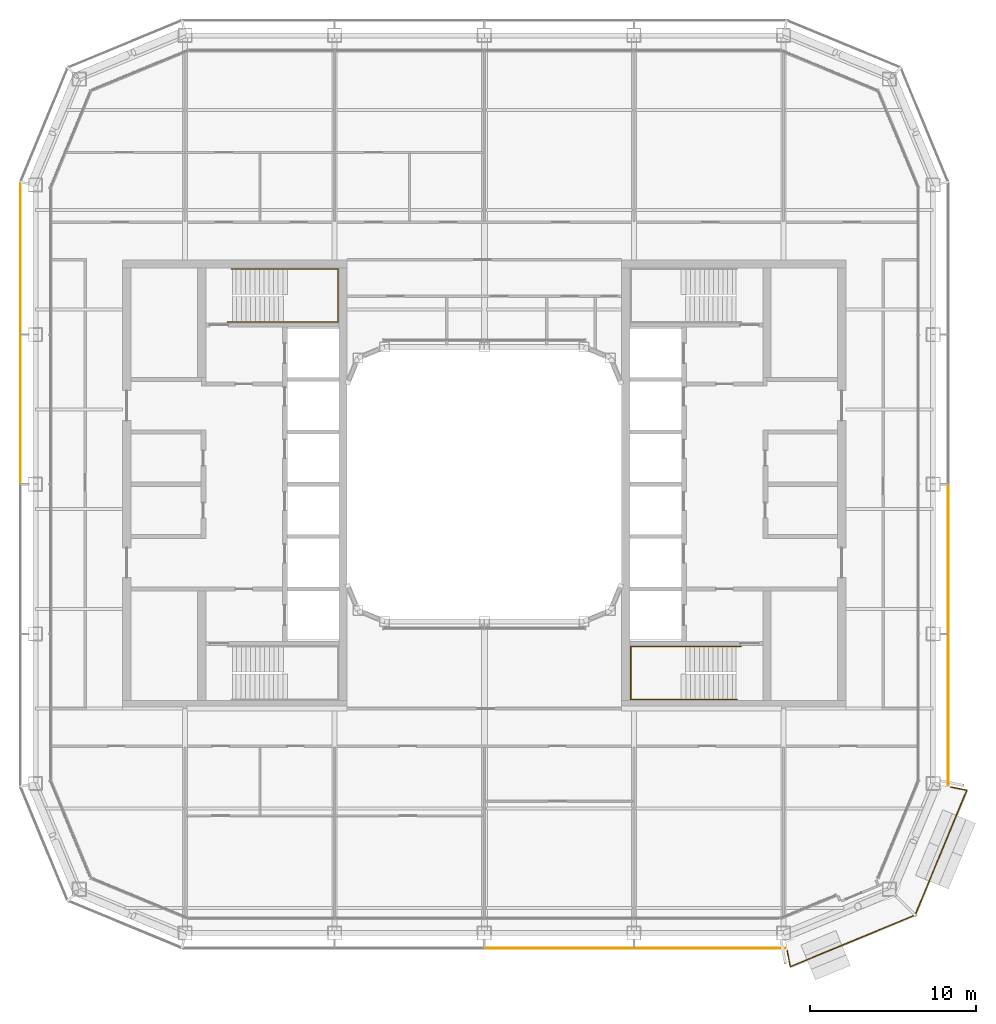
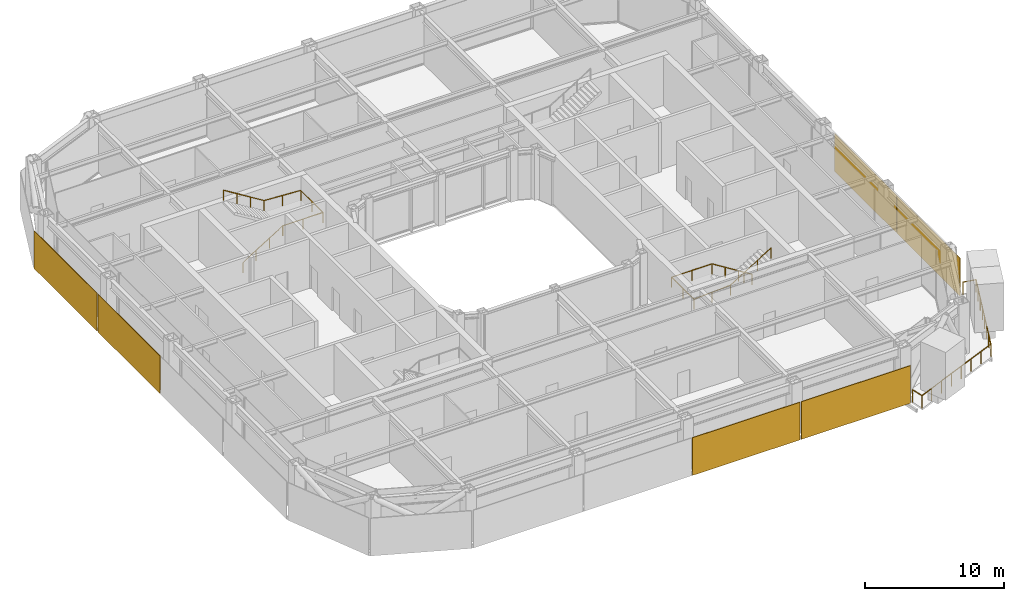
# One storey, part 19 of 22: 6 coverings, 3 railings.
"""IFC4 building model written with IfcOpenShell, lengths in metres."""

from ifc_helpers import new_model, si_unit, direction, frame, origin, origin_2d, place, context, subcontext, project, spatial, rectangle, circle, extrude, material, layer, layer_set, type_object, element, save


model = new_model("IFC4")

# Units and contexts
model_context = context("Model", 3, precision=1e-05, world=origin(), true_north=direction((0.0, 1.0)))
body_context = subcontext(model_context, "Body", "Model", "MODEL_VIEW")
ifc_project = project(units=[si_unit("LENGTHUNIT", "METRE"), si_unit("AREAUNIT", "SQUARE_METRE"), si_unit("VOLUMEUNIT", "CUBIC_METRE"), si_unit("PLANEANGLEUNIT", "RADIAN"), si_unit("MASSUNIT", "GRAM", prefix="KILO")], contexts=[model_context])

# Site, building, storey
site_placement = place(None, origin())
site = spatial("IfcSite", under=ifc_project, at=site_placement, CompositionType="ELEMENT")
building_placement = place(site_placement, origin())
building = spatial("IfcBuilding", under=site, at=building_placement, Name="Siwar Civic Tower", CompositionType="ELEMENT")
storey_placement = place(building_placement, frame((0.0, 0.0, 219.699951171875)))
storey = spatial("IfcBuildingStorey", under=building, at=storey_placement, Name="L47", CompositionType="ELEMENT", Elevation=219.699951171875)

# Railings
ifc_material_1 = material(Name="Stainless steel", Category="steel")
railing_type_1 = type_object("IfcRailingType", Name="CORE-STAIR-HANDRAIL", PredefinedType="HANDRAIL", material=ifc_material_1)
railing_1_placement = place(storey_placement, frame((-15.449951171875, 9.758056640625, 0.173095703125)))
element("IfcRailing", 1, at=railing_1_placement, inside=storey, type_object=railing_type_1, Name="Stair handrail ST1", PredefinedType="HANDRAIL", context=body_context, shape_type="SweptSolid", body=[
    extrude(circle(Radius=0.02001953125, at=origin_2d()), frame((0.0, 0.0, 0.8798828125), z_axis=(0.847063342986, 0.0, 0.531491950051), x_axis=(0.0, 1.0, 0.0)), (0.0, 0.0, 1.0), 3.90771484375),
    extrude(circle(Radius=0.02001953125, at=origin_2d()), frame((3.31005859375, 0.0, 2.956787109375), z_axis=(1.0, 0.0, 0.0), x_axis=(0.0, 1.0, 0.0)), (0.0, 0.0, 1.0), 3.331787109375),
    extrude(circle(Radius=0.02001953125, at=origin_2d()), frame((6.641845703125, 0.0, 2.956787109375), z_axis=(0.0, 1.0, 0.0), x_axis=(-1.0, 0.0, 0.0)), (0.0, 0.0, 1.0), 3.183837890625),
    extrude(circle(Radius=0.02001953125, at=origin_2d()), frame((6.641845703125, 3.183837890625, 2.956787109375), z_axis=(-0.99837434197, 0.0, 0.056997134106), x_axis=(0.0, -1.0, 0.0)), (0.0, 0.0, 1.0), 3.036865234375),
    extrude(circle(Radius=0.02001953125, at=origin_2d()), frame((3.60986328125, 3.183837890625, 3.1298828125), z_axis=(-0.850606129759, 0.0, 0.525803396734), x_axis=(0.0, -1.0, 0.0)), (0.0, 0.0, 1.0), 3.949951171875),
    extrude(circle(Radius=0.02001953125, at=origin_2d()), origin(), (0.0, 0.0, 1.0), 0.85986328125),
    extrude(circle(Radius=0.02001953125, at=origin_2d()), frame((1.103271484375, 0.0, 0.6923828125)), (0.0, 0.0, 1.0), 0.85986328125),
    extrude(circle(Radius=0.02001953125, at=origin_2d()), frame((2.206787109375, 0.0, 1.384521484375)), (0.0, 0.0, 1.0), 0.85986328125),
    extrude(circle(Radius=0.02001953125, at=origin_2d()), frame((3.31005859375, 0.0, 2.076904296875)), (0.0, 0.0, 1.0), 0.85986328125),
    extrude(circle(Radius=0.02001953125, at=origin_2d()), frame((4.97607421875, 0.0, 2.076904296875)), (0.0, 0.0, 1.0), 0.85986328125),
    extrude(circle(Radius=0.02001953125, at=origin_2d()), frame((6.641845703125, 0.0, 2.076904296875)), (0.0, 0.0, 1.0), 0.85986328125),
    extrude(circle(Radius=0.02001953125, at=origin_2d()), frame((6.641845703125, 1.591796875, 2.076904296875)), (0.0, 0.0, 1.0), 0.85986328125),
    extrude(circle(Radius=0.02001953125, at=origin_2d()), frame((6.641845703125, 3.183837890625, 2.076904296875)), (0.0, 0.0, 1.0), 0.85986328125),
    extrude(circle(Radius=0.02001953125, at=origin_2d()), frame((5.1259765625, 3.183837890625, 2.16357421875)), (0.0, 0.0, 1.0), 0.85986328125),
    extrude(circle(Radius=0.02001953125, at=origin_2d()), frame((3.60986328125, 3.183837890625, 2.25)), (0.0, 0.0, 1.0), 0.85986328125),
    extrude(circle(Radius=0.02001953125, at=origin_2d()), frame((2.489990234375, 3.183837890625, 2.9423828125)), (0.0, 0.0, 1.0), 0.85986328125),
    extrude(circle(Radius=0.02001953125, at=origin_2d()), frame((1.369873046875, 3.183837890625, 3.634521484375)), (0.0, 0.0, 1.0), 0.85986328125),
    extrude(circle(Radius=0.02001953125, at=origin_2d()), frame((0.25, 3.183837890625, 4.326904296875)), (0.0, 0.0, 1.0), 0.85986328125),
])
railing_2_placement = place(storey_placement, frame((15.449951171875, -9.758056640625, 0.173095703125)))
element("IfcRailing", 2, at=railing_2_placement, inside=storey, type_object=railing_type_1, Name="Stair handrail ST4", PredefinedType="HANDRAIL", context=body_context, shape_type="SweptSolid", body=[
    extrude(circle(Radius=0.02001953125, at=origin_2d()), frame((0.0, 0.0, 0.8798828125), z_axis=(-0.847063342986, 0.0, 0.531491950051), x_axis=(0.0, -1.0, 0.0)), (0.0, 0.0, 1.0), 3.90771484375),
    extrude(circle(Radius=0.02001953125, at=origin_2d()), frame((-3.31005859375, 0.0, 2.956787109375), z_axis=(-1.0, 0.0, 0.0), x_axis=(0.0, -1.0, 0.0)), (0.0, 0.0, 1.0), 3.331787109375),
    extrude(circle(Radius=0.02001953125, at=origin_2d()), frame((-6.641845703125, 0.0, 2.956787109375), z_axis=(0.0, -1.0, 0.0), x_axis=(1.0, 0.0, 0.0)), (0.0, 0.0, 1.0), 3.183837890625),
    extrude(circle(Radius=0.02001953125, at=origin_2d()), frame((-6.641845703125, -3.183837890625, 2.956787109375), z_axis=(0.99837434197, 0.0, 0.056997134106), x_axis=(0.0, 1.0, 0.0)), (0.0, 0.0, 1.0), 3.036865234375),
    extrude(circle(Radius=0.02001953125, at=origin_2d()), frame((-3.60986328125, -3.183837890625, 3.1298828125), z_axis=(0.850606129759, 0.0, 0.525803396734), x_axis=(0.0, 1.0, 0.0)), (0.0, 0.0, 1.0), 3.949951171875),
    extrude(circle(Radius=0.02001953125, at=origin_2d()), origin(), (0.0, 0.0, 1.0), 0.85986328125),
    extrude(circle(Radius=0.02001953125, at=origin_2d()), frame((-1.103271484375, 0.0, 0.6923828125)), (0.0, 0.0, 1.0), 0.85986328125),
    extrude(circle(Radius=0.02001953125, at=origin_2d()), frame((-2.206787109375, 0.0, 1.384521484375)), (0.0, 0.0, 1.0), 0.85986328125),
    extrude(circle(Radius=0.02001953125, at=origin_2d()), frame((-3.31005859375, 0.0, 2.076904296875)), (0.0, 0.0, 1.0), 0.85986328125),
    extrude(circle(Radius=0.02001953125, at=origin_2d()), frame((-4.97607421875, 0.0, 2.076904296875)), (0.0, 0.0, 1.0), 0.85986328125),
    extrude(circle(Radius=0.02001953125, at=origin_2d()), frame((-6.641845703125, 0.0, 2.076904296875)), (0.0, 0.0, 1.0), 0.85986328125),
    extrude(circle(Radius=0.02001953125, at=origin_2d()), frame((-6.641845703125, -1.591796875, 2.076904296875)), (0.0, 0.0, 1.0), 0.85986328125),
    extrude(circle(Radius=0.02001953125, at=origin_2d()), frame((-6.641845703125, -3.183837890625, 2.076904296875)), (0.0, 0.0, 1.0), 0.85986328125),
    extrude(circle(Radius=0.02001953125, at=origin_2d()), frame((-5.1259765625, -3.183837890625, 2.16357421875)), (0.0, 0.0, 1.0), 0.85986328125),
    extrude(circle(Radius=0.02001953125, at=origin_2d()), frame((-3.60986328125, -3.183837890625, 2.25)), (0.0, 0.0, 1.0), 0.85986328125),
    extrude(circle(Radius=0.02001953125, at=origin_2d()), frame((-2.489990234375, -3.183837890625, 2.9423828125)), (0.0, 0.0, 1.0), 0.85986328125),
    extrude(circle(Radius=0.02001953125, at=origin_2d()), frame((-1.369873046875, -3.183837890625, 3.634521484375)), (0.0, 0.0, 1.0), 0.85986328125),
    extrude(circle(Radius=0.02001953125, at=origin_2d()), frame((-0.25, -3.183837890625, 4.326904296875)), (0.0, 0.0, 1.0), 0.85986328125),
])
ifc_material_2 = material(Name="Stainless steel 316", Category="steel")
railing_type_2 = type_object("IfcRailingType", Name="ENV-GUARD", PredefinedType="GUARDRAIL", material=ifc_material_2)
railing_3_placement = place(storey_placement, frame((18.208251953125, -28.047119140625, 0.0)))
element("IfcRailing", 3, at=railing_3_placement, inside=storey, type_object=railing_type_2, Name="Balcony guard SE", PredefinedType="GUARDRAIL", context=body_context, shape_type="SweptSolid", body=[
    extrude(circle(Radius=0.02392578125, at=origin_2d()), frame((0.0, 0.0, 1.076171875), z_axis=(0.195123592472, -0.980778661911, 0.0), x_axis=(0.980778661911, 0.195123592472, 0.0)), (0.0, 0.0, 1.0), 0.993408203125),
    extrude(circle(Radius=0.02392578125, at=origin_2d()), frame((0.19384765625, -0.974365234375, 1.076171875), z_axis=(0.924089256518, 0.382176720888, 0.0), x_axis=(-0.382176720888, 0.924089256518, 0.0)), (0.0, 0.0, 1.0), 8.129638671875),
    extrude(circle(Radius=0.02392578125, at=origin_2d()), frame((7.706298828125, 2.132568359375, 1.076171875), z_axis=(0.382176720888, 0.924089256518, 0.0), x_axis=(-0.924089256518, 0.382176720888, 0.0)), (0.0, 0.0, 1.0), 8.129638671875),
    extrude(circle(Radius=0.02392578125, at=origin_2d()), frame((10.813232421875, 9.64501953125, 1.076171875), z_axis=(-0.980778661911, 0.195123592472, 0.0), x_axis=(-0.195123592472, -0.980778661911, 0.0)), (0.0, 0.0, 1.0), 0.993408203125),
    extrude(circle(Radius=0.02099609375, at=origin_2d()), origin(), (0.0, 0.0, 1.0), 1.052001953125),
    extrude(circle(Radius=0.02099609375, at=origin_2d()), frame((0.19384765625, -0.974365234375, 0.0)), (0.0, 0.0, 1.0), 1.052001953125),
    extrude(circle(Radius=0.02099609375, at=origin_2d()), frame((1.26708984375, -0.530517578125, 0.0)), (0.0, 0.0, 1.0), 1.052001953125),
    extrude(circle(Radius=0.02099609375, at=origin_2d()), frame((2.34033203125, -0.086669921875, 0.0)), (0.0, 0.0, 1.0), 1.052001953125),
    extrude(circle(Radius=0.02099609375, at=origin_2d()), frame((3.41357421875, 0.357177734375, 0.0)), (0.0, 0.0, 1.0), 1.052001953125),
    extrude(circle(Radius=0.02099609375, at=origin_2d()), frame((4.486572265625, 0.801025390625, 0.0)), (0.0, 0.0, 1.0), 1.052001953125),
    extrude(circle(Radius=0.02099609375, at=origin_2d()), frame((5.559814453125, 1.244873046875, 0.0)), (0.0, 0.0, 1.0), 1.052001953125),
    extrude(circle(Radius=0.02099609375, at=origin_2d()), frame((6.633056640625, 1.688720703125, 0.0)), (0.0, 0.0, 1.0), 1.052001953125),
    extrude(circle(Radius=0.02099609375, at=origin_2d()), frame((7.706298828125, 2.132568359375, 0.0)), (0.0, 0.0, 1.0), 1.052001953125),
    extrude(circle(Radius=0.02099609375, at=origin_2d()), frame((8.150146484375, 3.205810546875, 0.0)), (0.0, 0.0, 1.0), 1.052001953125),
    extrude(circle(Radius=0.02099609375, at=origin_2d()), frame((8.593994140625, 4.279052734375, 0.0)), (0.0, 0.0, 1.0), 1.052001953125),
    extrude(circle(Radius=0.02099609375, at=origin_2d()), frame((9.037841796875, 5.352294921875, 0.0)), (0.0, 0.0, 1.0), 1.052001953125),
    extrude(circle(Radius=0.02099609375, at=origin_2d()), frame((9.481689453125, 6.42529296875, 0.0)), (0.0, 0.0, 1.0), 1.052001953125),
    extrude(circle(Radius=0.02099609375, at=origin_2d()), frame((9.925537109375, 7.49853515625, 0.0)), (0.0, 0.0, 1.0), 1.052001953125),
    extrude(circle(Radius=0.02099609375, at=origin_2d()), frame((10.369384765625, 8.57177734375, 0.0)), (0.0, 0.0, 1.0), 1.052001953125),
    extrude(circle(Radius=0.02099609375, at=origin_2d()), frame((10.813232421875, 9.64501953125, 0.0)), (0.0, 0.0, 1.0), 1.052001953125),
    extrude(circle(Radius=0.02099609375, at=origin_2d()), frame((9.8388671875, 9.8388671875, 0.0)), (0.0, 0.0, 1.0), 1.052001953125),
])

# Coverings
ifc_material_3 = material(Name="Perforated aluminium cassette, pale metal", Category="aluminium")
ifc_layer_1 = layer(ifc_material_3, 0.0400390625)
ifc_layer_set_1 = layer_set([ifc_layer_1], Name="Perforated aluminium cassette, pale metal")
covering_type_1 = type_object("IfcCoveringType", Name="ENV-OUTER SKIN OS-1", PredefinedType="CLADDING", material=ifc_layer_set_1)
covering_1_placement = place(storey_placement, frame((27.89990234375, -13.57958984375, -0.14990234375), z_axis=(0.0, 0.0, 1.0), x_axis=(0.0, 1.0, 0.0)))
element("IfcCovering", 4, at=covering_1_placement, inside=storey, type_object=covering_type_1, Name="OUTER SKIN OS-1 E 1", PredefinedType="CLADDING", context=body_context, shape_type="SweptSolid", body=[
    extrude(rectangle(XDim=9.05908203125, YDim=0.0400390625, at=origin_2d()), origin(), (0.0, 0.0, 1.0), 3.300048828125),
])
covering_2_placement = place(storey_placement, frame((27.89990234375, -4.5, -0.14990234375), z_axis=(0.0, 0.0, 1.0), x_axis=(0.0, 1.0, 0.0)))
element("IfcCovering", 5, at=covering_2_placement, inside=storey, type_object=covering_type_1, Name="OUTER SKIN OS-1 E 2", PredefinedType="CLADDING", context=body_context, shape_type="SweptSolid", body=[
    extrude(rectangle(XDim=8.89990234375, YDim=0.0400390625, at=origin_2d()), origin(), (0.0, 0.0, 1.0), 3.300048828125),
])
ifc_material_4 = material(Name="Perforated aluminium cassette, pale metal", Category="aluminium")
ifc_layer_2 = layer(ifc_material_4, 0.050048828125)
ifc_layer_set_2 = layer_set([ifc_layer_2], Name="Perforated aluminium cassette, pale metal")
covering_type_2 = type_object("IfcCoveringType", Name="ENV-OUTER SKIN OS-3", PredefinedType="CLADDING", material=ifc_layer_set_2)
covering_3_placement = place(storey_placement, frame((-27.89990234375, 13.57958984375, -0.14990234375), z_axis=(0.0, 0.0, 1.0), x_axis=(0.0, -1.0, 0.0)))
element("IfcCovering", 6, at=covering_3_placement, inside=storey, type_object=covering_type_2, Name="OUTER SKIN OS-3 W 1", PredefinedType="CLADDING", context=body_context, shape_type="SweptSolid", body=[
    extrude(rectangle(XDim=9.05908203125, YDim=0.050048828125, at=origin_2d()), origin(), (0.0, 0.0, 1.0), 3.300048828125),
])
covering_4_placement = place(storey_placement, frame((-27.89990234375, 4.5, -0.14990234375), z_axis=(0.0, 0.0, 1.0), x_axis=(0.0, -1.0, 0.0)))
element("IfcCovering", 7, at=covering_4_placement, inside=storey, type_object=covering_type_2, Name="OUTER SKIN OS-3 W 2", PredefinedType="CLADDING", context=body_context, shape_type="SweptSolid", body=[
    extrude(rectangle(XDim=8.89990234375, YDim=0.050048828125, at=origin_2d()), origin(), (0.0, 0.0, 1.0), 3.300048828125),
])
ifc_material_5 = material(Name="Perforated aluminium cassette, pale metal", Category="aluminium")
ifc_layer_3 = layer(ifc_material_5, 0.054931640625)
ifc_layer_set_3 = layer_set([ifc_layer_3], Name="Perforated aluminium cassette, pale metal")
covering_type_3 = type_object("IfcCoveringType", Name="ENV-OUTER SKIN OS-4", PredefinedType="CLADDING", material=ifc_layer_set_3)
covering_5_placement = place(storey_placement, frame((4.5, -27.89990234375, -0.14990234375), z_axis=(0.0, 0.0, 1.0), x_axis=(1.0, 0.0, 0.0)))
element("IfcCovering", 8, at=covering_5_placement, inside=storey, type_object=covering_type_3, Name="OUTER SKIN OS-4 S 3", PredefinedType="CLADDING", context=body_context, shape_type="SweptSolid", body=[
    extrude(rectangle(XDim=8.89990234375, YDim=0.054931640625, at=origin_2d()), origin(), (0.0, 0.0, 1.0), 3.300048828125),
])
covering_6_placement = place(storey_placement, frame((13.57958984375, -27.89990234375, -0.14990234375), z_axis=(0.0, 0.0, 1.0), x_axis=(1.0, 0.0, 0.0)))
element("IfcCovering", 9, at=covering_6_placement, inside=storey, type_object=covering_type_3, Name="OUTER SKIN OS-4 S 4", PredefinedType="CLADDING", context=body_context, shape_type="SweptSolid", body=[
    extrude(rectangle(XDim=9.05908203125, YDim=0.054931640625, at=origin_2d()), origin(), (0.0, 0.0, 1.0), 3.300048828125),
])

save(model, "model.ifc")
